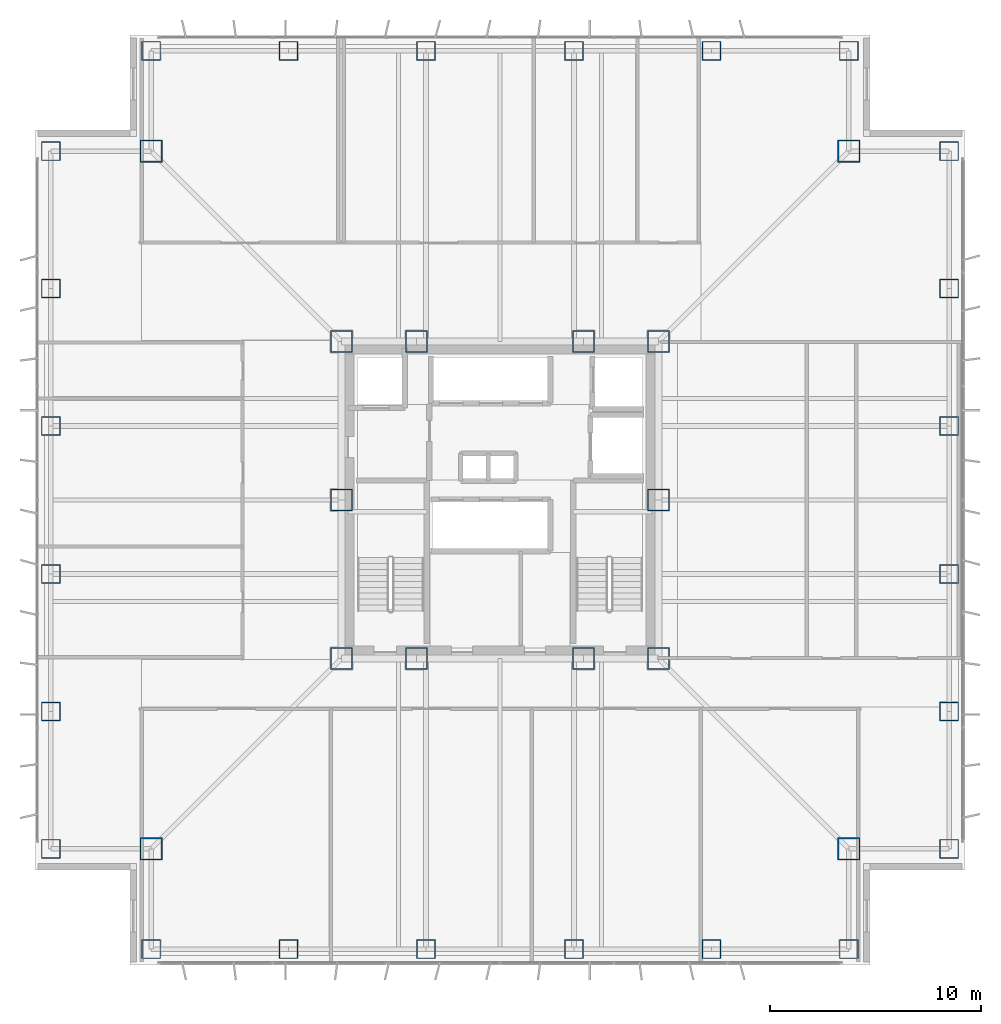
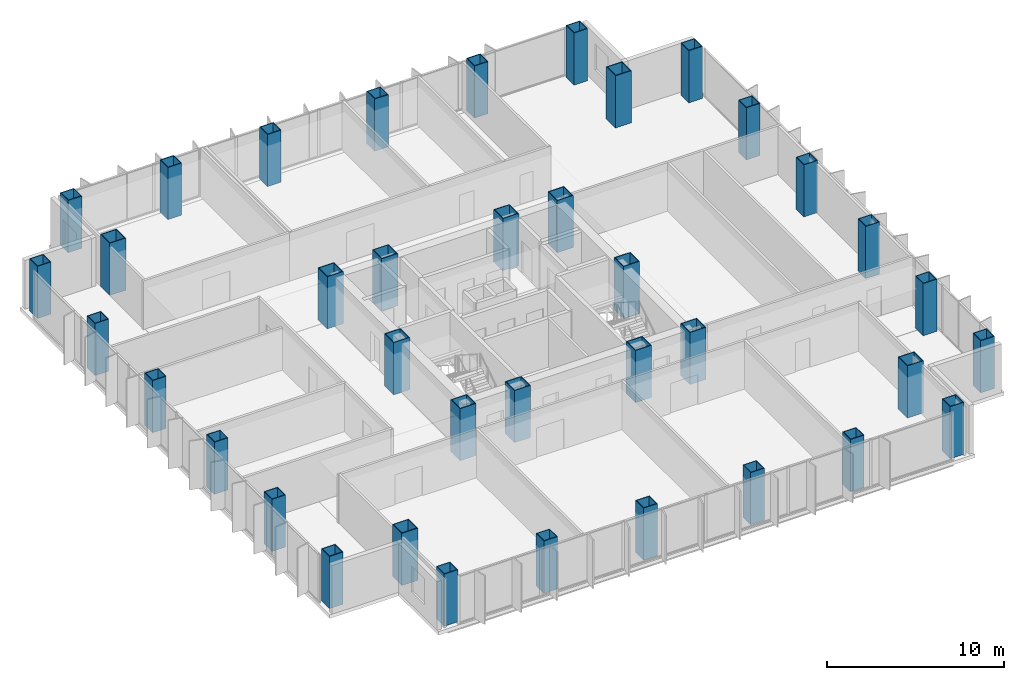
# One storey, part 1 of 14: 38 columns.
"""IFC4 building model written with IfcOpenShell, lengths in metres."""

from ifc_helpers import new_model, si_unit, direction, frame, origin, origin_2d, place, context, subcontext, project, spatial, hollow_rectangle, extrude, material, material_profile, profile_set, type_object, element, save


model = new_model("IFC4")

# Units and contexts
model_context = context("Model", 3, precision=1e-05, world=origin(), true_north=direction((0.0, 1.0)))
body_context = subcontext(model_context, "Body", "Model", "MODEL_VIEW")
ifc_project = project(units=[si_unit("LENGTHUNIT", "METRE"), si_unit("AREAUNIT", "SQUARE_METRE"), si_unit("VOLUMEUNIT", "CUBIC_METRE"), si_unit("PLANEANGLEUNIT", "RADIAN"), si_unit("MASSUNIT", "GRAM", prefix="KILO")], contexts=[model_context])

# Site, building, storey
site_placement = place(None, origin())
site = spatial("IfcSite", under=ifc_project, at=site_placement, CompositionType="ELEMENT")
building_placement = place(site_placement, origin())
building = spatial("IfcBuilding", under=site, at=building_placement, Name="Trevonay Congress Spire", CompositionType="ELEMENT")
storey_placement = place(building_placement, frame((0.0, 0.0, 137.199951171875)))
storey = spatial("IfcBuildingStorey", under=building, at=storey_placement, Name="L35", CompositionType="ELEMENT", Elevation=137.199951171875)

# Columns
ifc_material = material(Name="Steel ASTM A572 Grade 50", Category="steel")
ifc_material_profile_1 = material_profile(ifc_material, hollow_rectangle(XDim=1.050048828125, YDim=1.050048828125, WallThickness=0.050048828125, at=origin_2d()), Name="BOX 1050x1050x50")
ifc_profile_set_1 = profile_set([ifc_material_profile_1], Name="Steel ASTM A572 Grade 50")
column_type_1 = type_object("IfcColumnType", Name="COL-CORE-BOX1050", PredefinedType="COLUMN", material=ifc_profile_set_1)
for number, where, z_axis, x_axis, name in (
    (1, (-7.5, -7.5, 0.0), (0.0, 0.0, 1.0), (1.0, 0.0, 0.0), "L35 column C03 at CC-SW"),
    (2, (-3.949951171875, -7.5, 0.0), (0.0, 0.0, 1.0), (1.0, 0.0, 0.0), "L35 column C03 at CC-SMW"),
    (3, (3.949951171875, -7.5, 0.0), (0.0, 0.0, 1.0), (1.0, 0.0, 0.0), "L35 column C03 at CC-SME"),
    (4, (7.5, -7.5, 0.0), (0.0, 0.0, 1.0), (1.0, 0.0, 0.0), "L35 column C03 at CC-SE"),
    (5, (7.5, 0.0, 0.0), (0.0, 0.0, 1.0), (1.0, 0.0, 0.0), "L35 column C03 at CC-E"),
    (6, (7.5, 7.5, 0.0), (0.0, 0.0, 1.0), (1.0, 0.0, 0.0), "L35 column C03 at CC-NE"),
    (7, (3.949951171875, 7.5, 0.0), (0.0, 0.0, 1.0), (1.0, 0.0, 0.0), "L35 column C03 at CC-NME"),
    (8, (-3.949951171875, 7.5, 0.0), (0.0, 0.0, 1.0), (1.0, 0.0, 0.0), "L35 column C03 at CC-NMW"),
    (9, (-7.5, 7.5, 0.0), (0.0, 0.0, 1.0), (1.0, 0.0, 0.0), "L35 column C03 at CC-NW"),
    (10, (-7.5, 0.0, 0.0), (0.0, 0.0, 1.0), (1.0, 0.0, 0.0), "L35 column C03 at CC-W"),
):
    element("IfcColumn", number, at=place(storey_placement, frame(where, z_axis=z_axis, x_axis=x_axis)), inside=storey, type_object=column_type_1, Name=name, PredefinedType="COLUMN", context=body_context, shape_type="SweptSolid", body=[
        extrude(hollow_rectangle(XDim=1.050048828125, YDim=1.050048828125, WallThickness=0.050048828125, at=origin_2d()), origin(), (0.0, 0.0, 1.0), 3.60009765625),
    ])
ifc_material_profile_2 = material_profile(ifc_material, hollow_rectangle(XDim=1.050048828125, YDim=1.050048828125, WallThickness=0.050048828125, at=origin_2d()), Name="BOX 1050x1050x50")
ifc_profile_set_2 = profile_set([ifc_material_profile_2], Name="Steel ASTM A572 Grade 50")
column_type_2 = type_object("IfcColumnType", Name="COL-TUBE-BOX1050", PredefinedType="COLUMN", material=ifc_profile_set_2)
for number, where, z_axis, x_axis, name in (
    (11, (-16.5, -16.5, 0.0), (0.0, 0.0, 1.0), (1.0, 0.0, 0.0), "L35 column C14 at NC-SW"),
    (12, (16.5, -16.5, 0.0), (0.0, 0.0, 1.0), (1.0, 0.0, 0.0), "L35 column C14 at NC-SE"),
    (13, (16.5, 16.5, 0.0), (0.0, 0.0, 1.0), (1.0, 0.0, 0.0), "L35 column C14 at NC-NE"),
    (14, (-16.5, 16.5, 0.0), (0.0, 0.0, 1.0), (1.0, 0.0, 0.0), "L35 column C14 at NC-NW"),
):
    element("IfcColumn", number, at=place(storey_placement, frame(where, z_axis=z_axis, x_axis=x_axis)), inside=storey, type_object=column_type_2, Name=name, PredefinedType="COLUMN", context=body_context, shape_type="SweptSolid", body=[
        extrude(hollow_rectangle(XDim=1.050048828125, YDim=1.050048828125, WallThickness=0.050048828125, at=origin_2d()), origin(), (0.0, 0.0, 1.0), 3.60009765625),
    ])
ifc_material_profile_3 = material_profile(ifc_material, hollow_rectangle(XDim=0.89990234375, YDim=0.89990234375, WallThickness=0.044921875, at=origin_2d()), Name="BOX 900x900x45")
ifc_profile_set_3 = profile_set([ifc_material_profile_3], Name="Steel ASTM A572 Grade 50")
column_type_3 = type_object("IfcColumnType", Name="COL-TUBE-BOX900", PredefinedType="COLUMN", material=ifc_profile_set_3)
for number, where, z_axis, x_axis, name in (
    (15, (-16.5, -21.25, 0.0), (0.0, 0.0, 1.0), (1.0, 0.0, 0.0), "L35 column C15 at TS-1"),
    (16, (-16.5, 21.25, 0.0), (0.0, 0.0, 1.0), (1.0, 0.0, 0.0), "L35 column C15 at TN-1"),
    (17, (-21.25, -16.5, 0.0), (0.0, 0.0, 1.0), (1.0, 0.0, 0.0), "L35 column C15 at TW-1"),
    (18, (21.25, -16.5, 0.0), (0.0, 0.0, 1.0), (1.0, 0.0, 0.0), "L35 column C15 at TE-1"),
    (19, (-10.0, -21.25, 0.0), (0.0, 0.0, 1.0), (1.0, 0.0, 0.0), "L35 column C15 at TS-2"),
    (20, (-10.0, 21.25, 0.0), (0.0, 0.0, 1.0), (1.0, 0.0, 0.0), "L35 column C15 at TN-2"),
    (21, (-21.25, -10.0, 0.0), (0.0, 0.0, 1.0), (1.0, 0.0, 0.0), "L35 column C15 at TW-2"),
    (22, (21.25, -10.0, 0.0), (0.0, 0.0, 1.0), (1.0, 0.0, 0.0), "L35 column C15 at TE-2"),
    (23, (-3.5, -21.25, 0.0), (0.0, 0.0, 1.0), (1.0, 0.0, 0.0), "L35 column C15 at TS-3"),
    (24, (-3.5, 21.25, 0.0), (0.0, 0.0, 1.0), (1.0, 0.0, 0.0), "L35 column C15 at TN-3"),
    (25, (-21.25, -3.5, 0.0), (0.0, 0.0, 1.0), (1.0, 0.0, 0.0), "L35 column C15 at TW-3"),
    (26, (21.25, -3.5, 0.0), (0.0, 0.0, 1.0), (1.0, 0.0, 0.0), "L35 column C15 at TE-3"),
    (27, (3.5, -21.25, 0.0), (0.0, 0.0, 1.0), (1.0, 0.0, 0.0), "L35 column C15 at TS-4"),
    (28, (3.5, 21.25, 0.0), (0.0, 0.0, 1.0), (1.0, 0.0, 0.0), "L35 column C15 at TN-4"),
    (29, (-21.25, 3.5, 0.0), (0.0, 0.0, 1.0), (1.0, 0.0, 0.0), "L35 column C15 at TW-4"),
    (30, (21.25, 3.5, 0.0), (0.0, 0.0, 1.0), (1.0, 0.0, 0.0), "L35 column C15 at TE-4"),
    (31, (10.0, -21.25, 0.0), (0.0, 0.0, 1.0), (1.0, 0.0, 0.0), "L35 column C15 at TS-5"),
    (32, (10.0, 21.25, 0.0), (0.0, 0.0, 1.0), (1.0, 0.0, 0.0), "L35 column C15 at TN-5"),
    (33, (-21.25, 10.0, 0.0), (0.0, 0.0, 1.0), (1.0, 0.0, 0.0), "L35 column C15 at TW-5"),
    (34, (21.25, 10.0, 0.0), (0.0, 0.0, 1.0), (1.0, 0.0, 0.0), "L35 column C15 at TE-5"),
    (35, (16.5, -21.25, 0.0), (0.0, 0.0, 1.0), (1.0, 0.0, 0.0), "L35 column C15 at TS-6"),
    (36, (16.5, 21.25, 0.0), (0.0, 0.0, 1.0), (1.0, 0.0, 0.0), "L35 column C15 at TN-6"),
    (37, (-21.25, 16.5, 0.0), (0.0, 0.0, 1.0), (1.0, 0.0, 0.0), "L35 column C15 at TW-6"),
    (38, (21.25, 16.5, 0.0), (0.0, 0.0, 1.0), (1.0, 0.0, 0.0), "L35 column C15 at TE-6"),
):
    element("IfcColumn", number, at=place(storey_placement, frame(where, z_axis=z_axis, x_axis=x_axis)), inside=storey, type_object=column_type_3, Name=name, PredefinedType="COLUMN", context=body_context, shape_type="SweptSolid", body=[
        extrude(hollow_rectangle(XDim=0.89990234375, YDim=0.89990234375, WallThickness=0.044921875, at=origin_2d()), origin(), (0.0, 0.0, 1.0), 3.60009765625),
    ])

save(model, "model.ifc")
